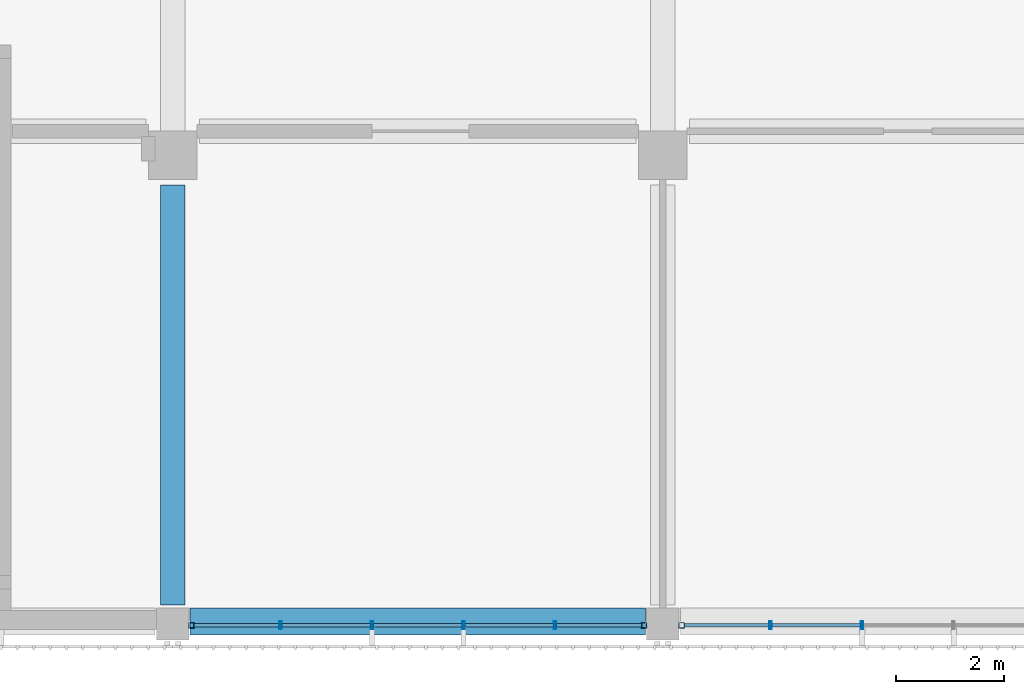
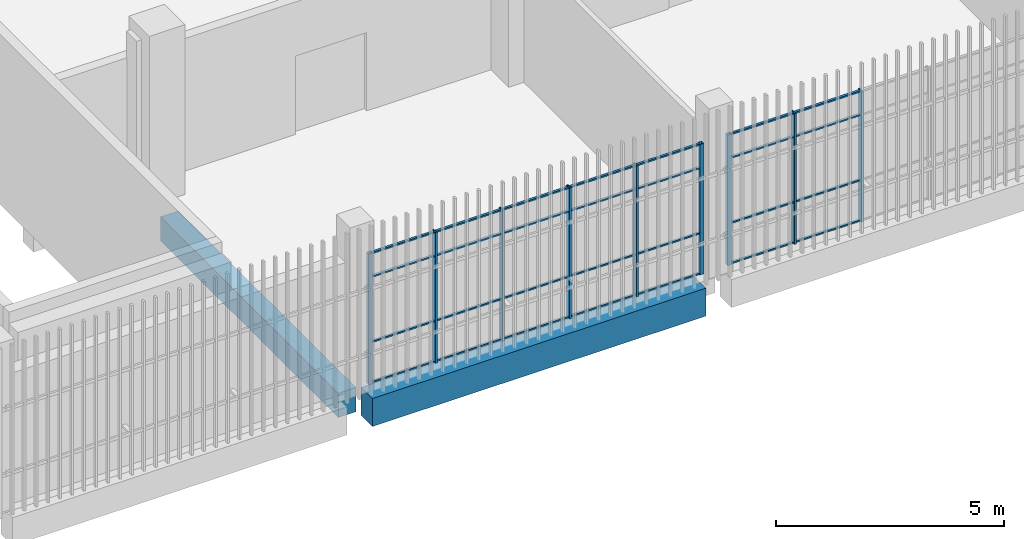
# One storey, part 12 of 104: 37 members, 2 beams, 2 elements without a shape of their own.
"""IFC4 building model written with IfcOpenShell, lengths in metres."""

import ifcopenshell
import ifcopenshell.guid

model = None  # the IFC model being written
_history = None  # IfcOwnerHistory: only IFC2X3 demands one
_inside = {}  # id of a spatial element -> (the spatial element, [elements in it])
_under = {}  # id of a project, library or spatial element -> (it, [spatial elements below it])
_declared = {}  # id of a project -> (the project, [libraries it declares])
_typed = {}  # id of a type object -> (the type object, [elements of that type])
_made_of = {}  # id of a material, layer set ... -> (it, [elements and type objects made of it])


def new_model(schema):
    """Start an empty IFC model of exactly this schema.

    Asked for "IFC4X3", IfcOpenShell would pick the latest addendum, in which some entities
    have other attributes; the version numbers below select the first issue.
    IFC2X3 requires an IfcOwnerHistory on every rooted entity: one is made here for all.
    """
    global model, _history
    if schema == "IFC4X3":
        model = ifcopenshell.file(schema_version=(4, 3, 0, 0))
    else:
        model = ifcopenshell.file(schema=schema)
    _inside.clear()
    _under.clear()
    _declared.clear()
    _typed.clear()
    _made_of.clear()
    _history = None
    if model.schema == "IFC2X3":
        org = make("IfcOrganization", Name="unknown")
        user = make(
            "IfcPersonAndOrganization",
            ThePerson=make("IfcPerson", FamilyName="unknown"),
            TheOrganization=org,
        )
        app = make(
            "IfcApplication",
            ApplicationDeveloper=org,
            Version="unknown",
            ApplicationFullName="unknown",
            ApplicationIdentifier="unknown",
        )
        _history = make(
            "IfcOwnerHistory",
            OwningUser=user,
            OwningApplication=app,
            ChangeAction="ADDED",
            CreationDate=0,
        )
    return model


def make(cls, **values):
    """One entity of the class cls with the attributes given. An attribute that is None is left unset."""
    return model.create_entity(
        cls, **{name: value for name, value in values.items() if value is not None}
    )


def rooted(cls, **values):
    """An entity with a GlobalId (a new one), such as an element, a storey or a relation."""
    return make(cls, GlobalId=ifcopenshell.guid.new(), OwnerHistory=_history, **values)


def si_unit(unit_type, name, prefix=None):
    """IfcSIUnit, for example si_unit("LENGTHUNIT", "METRE", prefix="MILLI")."""
    return make("IfcSIUnit", UnitType=unit_type, Prefix=prefix, Name=name)


def assignment(units):
    """IfcUnitAssignment: the units of a project."""
    return None if units is None else make("IfcUnitAssignment", Units=units)


def point(xyz):
    """IfcCartesianPoint."""
    return None if xyz is None else make("IfcCartesianPoint", Coordinates=xyz)


def direction(xyz):
    """IfcDirection."""
    return None if xyz is None else make("IfcDirection", DirectionRatios=xyz)


def frame(location, z_axis=None, x_axis=None):
    """IfcAxis2Placement3D, a coordinate frame: its origin and axes. An axis left out is left unset."""
    return make(
        "IfcAxis2Placement3D",
        Location=point(location),
        Axis=direction(z_axis),
        RefDirection=direction(x_axis),
    )


def frame_2d(location, x_axis=None):
    """IfcAxis2Placement2D, a coordinate frame in the plane: its origin and x axis."""
    return make(
        "IfcAxis2Placement2D", Location=point(location), RefDirection=direction(x_axis)
    )


def origin():
    """The frame at (0, 0, 0) with its axes left unset."""
    return frame((0.0, 0.0, 0.0))


def origin_2d():
    """The frame at (0, 0) in the plane with its x axis left unset."""
    return frame_2d((0.0, 0.0))


def place(relative_to, where):
    """IfcLocalPlacement: puts the frame where relative to a parent placement (None: the world)."""
    return make(
        "IfcLocalPlacement", PlacementRelTo=relative_to, RelativePlacement=where
    )


def context(
    kind, dimensions, precision=None, world=None, true_north=None, identifier=None
):
    """IfcGeometricRepresentationContext, for example the 3D "Model" context."""
    return make(
        "IfcGeometricRepresentationContext",
        ContextIdentifier=identifier,
        ContextType=kind,
        CoordinateSpaceDimension=dimensions,
        Precision=precision,
        WorldCoordinateSystem=world,
        TrueNorth=true_north,
    )


def subcontext(parent, identifier, kind, view, scale=None):
    """IfcGeometricRepresentationSubContext, for example "Body" below "Model"."""
    return make(
        "IfcGeometricRepresentationSubContext",
        ContextIdentifier=identifier,
        ContextType=kind,
        ParentContext=parent,
        TargetScale=scale,
        TargetView=view,
    )


def project(units=None, contexts=None):
    """IfcProject with its units and contexts."""
    return rooted(
        "IfcProject",
        Name="project",
        RepresentationContexts=contexts,
        UnitsInContext=assignment(units),
    )


def spatial(cls, under=None, at=None, **own):
    """A site, building, storey or space (cls), placed at a placement, below another one or the project."""
    s = rooted(cls, ObjectPlacement=at, **own)
    if under is not None:
        _under.setdefault(under.id(), (under, []))[1].append(s)
    return s


def profile(cls, at=None, kind="AREA", **sizes):
    """A parametric profile (cls). Its sizes go by their IFC names, for example OverallWidth=200.0."""
    return make(cls, ProfileType=kind, Position=at, **sizes)


def rectangle(**sizes):
    """IfcRectangleProfileDef."""
    return profile("IfcRectangleProfileDef", **sizes)


def hollow_rectangle(**sizes):
    """IfcRectangleHollowProfileDef."""
    return profile("IfcRectangleHollowProfileDef", **sizes)


def extrude(swept, where, along, depth):
    """IfcExtrudedAreaSolid: the profile swept, set in the frame where, extruded along a direction by depth."""
    return make(
        "IfcExtrudedAreaSolid",
        SweptArea=swept,
        Position=where,
        ExtrudedDirection=direction(along),
        Depth=depth,
    )


def shape(context_of_items, identifier, shape_type, items):
    """IfcShapeRepresentation: the items that make up one representation, for example the "Body"."""
    return make(
        "IfcShapeRepresentation",
        ContextOfItems=context_of_items,
        RepresentationIdentifier=identifier,
        RepresentationType=shape_type,
        Items=items,
    )


def material(Name=None, Category=None):
    """IfcMaterial."""
    return make("IfcMaterial", Name=Name, Category=Category)


def layer(
    of_material, thickness, ventilated=None, Name=None, Category=None, Priority=None
):
    """IfcMaterialLayer: one layer of a wall or slab, of a material (None: an air gap)."""
    return make(
        "IfcMaterialLayer",
        Material=of_material,
        LayerThickness=thickness,
        IsVentilated=ventilated,
        Name=Name,
        Category=Category,
        Priority=Priority,
    )


def layer_set(layers, Name=None):
    """IfcMaterialLayerSet."""
    return make("IfcMaterialLayerSet", MaterialLayers=layers, LayerSetName=Name)


def material_profile(
    of_material, cross_section, Name=None, Category=None, Priority=None
):
    """IfcMaterialProfile: a cross section and its material."""
    return make(
        "IfcMaterialProfile",
        Name=Name,
        Material=of_material,
        Profile=cross_section,
        Priority=Priority,
        Category=Category,
    )


def profile_set(profiles, Name=None, composite=None):
    """IfcMaterialProfileSet."""
    return make(
        "IfcMaterialProfileSet",
        Name=Name,
        MaterialProfiles=profiles,
        CompositeProfile=composite,
    )


def made_of(thing, what):
    """Note that an element or type object is made of a material, layer set ...; save() writes the relation."""
    if what is not None:
        _made_of.setdefault(what.id(), (what, []))[1].append(thing)
    return thing


def type_object(cls, material=None, **own):
    """A type object (cls), such as IfcWallType, which elements share."""
    return made_of(rooted(cls, **own), material)


def element(
    cls,
    number,
    at=None,
    inside=None,
    cuts=None,
    type_object=None,
    material=None,
    context=None,
    identifier="Body",
    shape_type=None,
    held_by="IfcProductDefinitionShape",
    body=None,
    shapes=None,
    **own,
):
    """One element of the class cls, such as IfcWall. Its Tag is "e" and its number.

    at: its placement. inside: the storey or other place that contains it. cuts: it is an
    opening in that element (IfcRelVoidsElement). A single representation is given by context,
    identifier, shape_type and body (its items); several are given by shapes. held_by: the class
    of the entity that holds the representations. save() writes the other relations.
    """
    e = rooted(cls, Tag="e%d" % number, ObjectPlacement=at, **own)
    if body is not None:
        shapes = [shape(context, identifier, shape_type, body)]
    if shapes is not None:
        e.Representation = make(held_by, Representations=shapes)
    if inside is not None:
        _inside.setdefault(inside.id(), (inside, []))[1].append(e)
    if cuts is not None:
        rooted(
            "IfcRelVoidsElement", RelatingBuildingElement=cuts, RelatedOpeningElement=e
        )
    if type_object is not None:
        _typed.setdefault(type_object.id(), (type_object, []))[1].append(e)
    return made_of(e, material)


def aggregate(whole, parts):
    """IfcRelAggregates: a whole, such as a stair, and the parts it consists of."""
    return rooted("IfcRelAggregates", RelatingObject=whole, RelatedObjects=parts)


def save(model, path):
    """Write the relations noted so far, then the file.

    IfcRelAggregates (storeys below a building ...), IfcRelContainedInSpatialStructure (elements
    in a storey), IfcRelDefinesByType, IfcRelAssociatesMaterial and IfcRelDeclares: one each for
    every whole, place, type object, material and project.
    """
    for whole, parts in _under.values():
        aggregate(whole, parts)
    for where, things in _inside.values():
        rooted(
            "IfcRelContainedInSpatialStructure",
            RelatedElements=things,
            RelatingStructure=where,
        )
    for kind, things in _typed.values():
        rooted("IfcRelDefinesByType", RelatedObjects=things, RelatingType=kind)
    for what, things in _made_of.values():
        rooted("IfcRelAssociatesMaterial", RelatedObjects=things, RelatingMaterial=what)
    for by, libraries in _declared.values():
        rooted("IfcRelDeclares", RelatingContext=by, RelatedDefinitions=libraries)
    model.write(path)


model = new_model("IFC4")

# Units and contexts
model_context = context("Model", 3, precision=1e-05, world=origin(), true_north=direction((0.0, 1.0)))
body_context = subcontext(model_context, "Body", "Model", "MODEL_VIEW")
ifc_project = project(units=[si_unit("LENGTHUNIT", "METRE"), si_unit("AREAUNIT", "SQUARE_METRE"), si_unit("VOLUMEUNIT", "CUBIC_METRE"), si_unit("PLANEANGLEUNIT", "RADIAN"), si_unit("MASSUNIT", "GRAM", prefix="KILO")], contexts=[model_context])

# Site, building, storey
site_placement = place(None, origin())
site = spatial("IfcSite", under=ifc_project, at=site_placement, CompositionType="ELEMENT")
building_placement = place(site_placement, origin())
building = spatial("IfcBuilding", under=site, at=building_placement, Name="Shirokan Park Arena", CompositionType="ELEMENT")
storey_placement = place(building_placement, frame((0.0, 0.0, 10.919921875)))
storey = spatial("IfcBuildingStorey", under=building, at=storey_placement, Name="L02", CompositionType="ELEMENT", Elevation=10.919921875)

# Curtain wall, members
ifc_material_1 = material(Name="Steel and glass curtain wall", Category="steel")
ifc_layer = layer(ifc_material_1, 0.14990234375)
ifc_layer_set = layer_set([ifc_layer], Name="Steel and glass curtain wall 150 mm")
curtain_wall_type = type_object("IfcCurtainWallType", Name="Curtain wall exposed bay 150", PredefinedType="NOTDEFINED", material=ifc_layer_set)
curtain_wall_1_placement = place(storey_placement, origin())
curtain_wall_1 = element("IfcCurtainWall", 1, at=curtain_wall_1_placement, inside=storey, type_object=curtain_wall_type, Name="Curtain wall south bay 8 L02", PredefinedType="NOTDEFINED")
ifc_material_2 = material(Name="Steel S355", Category="steel")
ifc_material_profile_1 = material_profile(ifc_material_2, hollow_rectangle(XDim=0.10009765625, YDim=0.10009765625, WallThickness=0.006103515625, at=origin_2d()), Name="RHS 100x100x6")
ifc_profile_set_1 = profile_set([ifc_material_profile_1], Name="Steel S355")
member_type_1 = type_object("IfcMemberType", Name="Mullion RHS 100x100x6", PredefinedType="MULLION", material=ifc_profile_set_1)
member_1_placement = place(storey_placement, frame((64.050048828125, -0.074951171875, 0.0), z_axis=(0.0, 0.0, 1.0), x_axis=(0.0, 1.0, 0.0)))
member_1 = element("IfcMember", 2, at=member_1_placement, type_object=member_type_1, Name="CW1 mullion 1", PredefinedType="MULLION", context=body_context, shape_type="SweptSolid", body=[
    extrude(hollow_rectangle(XDim=0.10009765625, YDim=0.10009765625, WallThickness=0.006103515625, at=origin_2d()), origin(), (0.0, 0.0, 1.0), 3.5),
])
member_2_placement = place(storey_placement, frame((72.449951171875, -0.074951171875, 0.0), z_axis=(0.0, 0.0, 1.0), x_axis=(0.0, 1.0, 0.0)))
member_2 = element("IfcMember", 3, at=member_2_placement, type_object=member_type_1, Name="CW1 mullion 6", PredefinedType="MULLION", context=body_context, shape_type="SweptSolid", body=[
    extrude(hollow_rectangle(XDim=0.10009765625, YDim=0.10009765625, WallThickness=0.006103515625, at=origin_2d()), origin(), (0.0, 0.0, 1.0), 3.5),
])

# Curtain wall, member
curtain_wall_2_placement = place(storey_placement, origin())
curtain_wall_2 = element("IfcCurtainWall", 4, at=curtain_wall_2_placement, inside=storey, type_object=curtain_wall_type, Name="Curtain wall south bay 9 L02", PredefinedType="NOTDEFINED")
member_3_placement = place(storey_placement, frame((73.14990234375, -0.074951171875, 0.0), z_axis=(0.0, 0.0, 1.0), x_axis=(0.0, 1.0, 0.0)))
member_3 = element("IfcMember", 5, at=member_3_placement, type_object=member_type_1, Name="CW1 mullion 1", PredefinedType="MULLION", context=body_context, shape_type="SweptSolid", body=[
    extrude(hollow_rectangle(XDim=0.10009765625, YDim=0.10009765625, WallThickness=0.006103515625, at=origin_2d()), origin(), (0.0, 0.0, 1.0), 3.5),
])

# Member
ifc_material_profile_2 = material_profile(ifc_material_2, hollow_rectangle(XDim=0.14990234375, YDim=0.050048828125, WallThickness=0.006103515625, at=origin_2d()), Name="RHS 150x50x6")
ifc_profile_set_2 = profile_set([ifc_material_profile_2], Name="Steel S355")
member_type_2 = type_object("IfcMemberType", Name="Mullion RHS 150x50x6", PredefinedType="MULLION", material=ifc_profile_set_2)
member_4_placement = place(storey_placement, frame((65.699951171875, -0.074951171875, 0.0), z_axis=(0.0, 0.0, 1.0), x_axis=(0.0, 1.0, 0.0)))
member_4 = element("IfcMember", 6, at=member_4_placement, type_object=member_type_2, Name="CW1 mullion 2", PredefinedType="MULLION", context=body_context, shape_type="SweptSolid", body=[
    extrude(hollow_rectangle(XDim=0.14990234375, YDim=0.050048828125, WallThickness=0.006103515625, at=origin_2d()), origin(), (0.0, 0.0, 1.0), 3.5),
])

member_5_placement = place(storey_placement, frame((67.39990234375, -0.074951171875, 0.0), z_axis=(0.0, 0.0, 1.0), x_axis=(0.0, 1.0, 0.0)))
member_5 = element("IfcMember", 7, at=member_5_placement, type_object=member_type_2, Name="CW1 mullion 3", PredefinedType="MULLION", context=body_context, shape_type="SweptSolid", body=[
    extrude(hollow_rectangle(XDim=0.14990234375, YDim=0.050048828125, WallThickness=0.006103515625, at=origin_2d()), origin(), (0.0, 0.0, 1.0), 3.5),
])

member_6_placement = place(storey_placement, frame((69.10009765625, -0.074951171875, 0.0), z_axis=(0.0, 0.0, 1.0), x_axis=(0.0, 1.0, 0.0)))
member_6 = element("IfcMember", 8, at=member_6_placement, type_object=member_type_2, Name="CW1 mullion 4", PredefinedType="MULLION", context=body_context, shape_type="SweptSolid", body=[
    extrude(hollow_rectangle(XDim=0.14990234375, YDim=0.050048828125, WallThickness=0.006103515625, at=origin_2d()), origin(), (0.0, 0.0, 1.0), 3.5),
])

member_7_placement = place(storey_placement, frame((70.800048828125, -0.074951171875, 0.0), z_axis=(0.0, 0.0, 1.0), x_axis=(0.0, 1.0, 0.0)))
member_7 = element("IfcMember", 9, at=member_7_placement, type_object=member_type_2, Name="CW1 mullion 5", PredefinedType="MULLION", context=body_context, shape_type="SweptSolid", body=[
    extrude(hollow_rectangle(XDim=0.14990234375, YDim=0.050048828125, WallThickness=0.006103515625, at=origin_2d()), origin(), (0.0, 0.0, 1.0), 3.5),
])

member_8_placement = place(storey_placement, frame((74.800048828125, -0.074951171875, 0.0), z_axis=(0.0, 0.0, 1.0), x_axis=(0.0, 1.0, 0.0)))
member_8 = element("IfcMember", 10, at=member_8_placement, type_object=member_type_2, Name="CW1 mullion 2", PredefinedType="MULLION", context=body_context, shape_type="SweptSolid", body=[
    extrude(hollow_rectangle(XDim=0.14990234375, YDim=0.050048828125, WallThickness=0.006103515625, at=origin_2d()), origin(), (0.0, 0.0, 1.0), 3.5),
])

member_9_placement = place(storey_placement, frame((76.5, -0.074951171875, 0.0), z_axis=(0.0, 0.0, 1.0), x_axis=(0.0, 1.0, 0.0)))
member_9 = element("IfcMember", 11, at=member_9_placement, type_object=member_type_2, Name="CW1 mullion 3", PredefinedType="MULLION", context=body_context, shape_type="SweptSolid", body=[
    extrude(hollow_rectangle(XDim=0.14990234375, YDim=0.050048828125, WallThickness=0.006103515625, at=origin_2d()), origin(), (0.0, 0.0, 1.0), 3.5),
])

# Beams
ifc_material_3 = material(Name="Concrete C35", Category="concrete")
ifc_material_profile_3 = material_profile(ifc_material_3, rectangle(XDim=0.449951171875, YDim=0.64990234375, at=origin_2d()), Name="450x650")
ifc_profile_set_3 = profile_set([ifc_material_profile_3], Name="Concrete C35")
beam_type_1 = type_object("IfcBeamType", Name="RC girder 450x650", PredefinedType="BEAM", material=ifc_profile_set_3)
beam_1_placement = place(storey_placement, frame((63.699951171875, 0.300048828125, -0.625), z_axis=(0.0, 1.0, 0.0), x_axis=(-1.0, 0.0, 0.0)))
element("IfcBeam", 12, at=beam_1_placement, inside=storey, type_object=beam_type_1, Name="Girder 8A-8B L02", PredefinedType="BEAM", context=body_context, shape_type="SweptSolid", body=[
    extrude(rectangle(XDim=0.449951171875, YDim=0.64990234375, at=origin_2d()), origin(), (0.0, 0.0, 1.0), 7.7998046875),
])
ifc_material_profile_4 = material_profile(ifc_material_3, rectangle(XDim=0.5, YDim=0.75, at=origin_2d()), Name="500x750")
ifc_profile_set_4 = profile_set([ifc_material_profile_4], Name="Concrete C35")
beam_type_2 = type_object("IfcBeamType", Name="RC girder 500x750", PredefinedType="BEAM", material=ifc_profile_set_4)
beam_2_placement = place(storey_placement, frame((64.025146484375, 0.0, -0.6748046875), z_axis=(1.0, 0.0, 0.0), x_axis=(0.0, 1.0, 0.0)))
element("IfcBeam", 13, at=beam_2_placement, inside=storey, type_object=beam_type_2, Name="Girder 8A-9A L02", PredefinedType="BEAM", context=body_context, shape_type="SweptSolid", body=[
    extrude(rectangle(XDim=0.5, YDim=0.75, at=origin_2d()), origin(), (0.0, 0.0, 1.0), 8.44970703125),
])

# Member
ifc_material_profile_5 = material_profile(ifc_material_2, hollow_rectangle(XDim=0.06005859375, YDim=0.0400390625, WallThickness=0.00390625, at=origin_2d()), Name="RHS 60x40x4")
ifc_profile_set_5 = profile_set([ifc_material_profile_5], Name="Steel S355")
member_type_3 = type_object("IfcMemberType", Name="Transom RHS 60x40x4", PredefinedType="MULLION", material=ifc_profile_set_5)
member_10_placement = place(storey_placement, frame((64.10009765625, -0.074951171875, 0.02001953125), z_axis=(1.0, 0.0, 0.0), x_axis=(0.0, 1.0, 0.0)))
member_10 = element("IfcMember", 14, at=member_10_placement, type_object=member_type_3, Name="CW1 transom 1.1", PredefinedType="MULLION", context=body_context, shape_type="SweptSolid", body=[
    extrude(hollow_rectangle(XDim=0.06005859375, YDim=0.0400390625, WallThickness=0.00390625, at=origin_2d()), origin(), (0.0, 0.0, 1.0), 1.574951171875),
])

member_11_placement = place(storey_placement, frame((64.10009765625, -0.074951171875, 1.10009765625), z_axis=(1.0, 0.0, 0.0), x_axis=(0.0, 1.0, 0.0)))
member_11 = element("IfcMember", 15, at=member_11_placement, type_object=member_type_3, Name="CW1 transom 1.2", PredefinedType="MULLION", context=body_context, shape_type="SweptSolid", body=[
    extrude(hollow_rectangle(XDim=0.06005859375, YDim=0.0400390625, WallThickness=0.00390625, at=origin_2d()), origin(), (0.0, 0.0, 1.0), 1.574951171875),
])

member_12_placement = place(storey_placement, frame((64.10009765625, -0.074951171875, 2.85009765625), z_axis=(1.0, 0.0, 0.0), x_axis=(0.0, 1.0, 0.0)))
member_12 = element("IfcMember", 16, at=member_12_placement, type_object=member_type_3, Name="CW1 transom 1.3", PredefinedType="MULLION", context=body_context, shape_type="SweptSolid", body=[
    extrude(hollow_rectangle(XDim=0.06005859375, YDim=0.0400390625, WallThickness=0.00390625, at=origin_2d()), origin(), (0.0, 0.0, 1.0), 1.574951171875),
])

member_13_placement = place(storey_placement, frame((64.10009765625, -0.074951171875, 3.47998046875), z_axis=(1.0, 0.0, 0.0), x_axis=(0.0, 1.0, 0.0)))
member_13 = element("IfcMember", 17, at=member_13_placement, type_object=member_type_3, Name="CW1 transom 1.4", PredefinedType="MULLION", context=body_context, shape_type="SweptSolid", body=[
    extrude(hollow_rectangle(XDim=0.06005859375, YDim=0.0400390625, WallThickness=0.00390625, at=origin_2d()), origin(), (0.0, 0.0, 1.0), 1.574951171875),
])

member_14_placement = place(storey_placement, frame((65.72509765625, -0.074951171875, 0.02001953125), z_axis=(1.0, 0.0, 0.0), x_axis=(0.0, 1.0, 0.0)))
member_14 = element("IfcMember", 18, at=member_14_placement, type_object=member_type_3, Name="CW1 transom 2.1", PredefinedType="MULLION", context=body_context, shape_type="SweptSolid", body=[
    extrude(hollow_rectangle(XDim=0.06005859375, YDim=0.0400390625, WallThickness=0.00390625, at=origin_2d()), origin(), (0.0, 0.0, 1.0), 1.64990234375),
])

member_15_placement = place(storey_placement, frame((65.72509765625, -0.074951171875, 1.10009765625), z_axis=(1.0, 0.0, 0.0), x_axis=(0.0, 1.0, 0.0)))
member_15 = element("IfcMember", 19, at=member_15_placement, type_object=member_type_3, Name="CW1 transom 2.2", PredefinedType="MULLION", context=body_context, shape_type="SweptSolid", body=[
    extrude(hollow_rectangle(XDim=0.06005859375, YDim=0.0400390625, WallThickness=0.00390625, at=origin_2d()), origin(), (0.0, 0.0, 1.0), 1.64990234375),
])

member_16_placement = place(storey_placement, frame((65.72509765625, -0.074951171875, 2.85009765625), z_axis=(1.0, 0.0, 0.0), x_axis=(0.0, 1.0, 0.0)))
member_16 = element("IfcMember", 20, at=member_16_placement, type_object=member_type_3, Name="CW1 transom 2.3", PredefinedType="MULLION", context=body_context, shape_type="SweptSolid", body=[
    extrude(hollow_rectangle(XDim=0.06005859375, YDim=0.0400390625, WallThickness=0.00390625, at=origin_2d()), origin(), (0.0, 0.0, 1.0), 1.64990234375),
])

member_17_placement = place(storey_placement, frame((65.72509765625, -0.074951171875, 3.47998046875), z_axis=(1.0, 0.0, 0.0), x_axis=(0.0, 1.0, 0.0)))
member_17 = element("IfcMember", 21, at=member_17_placement, type_object=member_type_3, Name="CW1 transom 2.4", PredefinedType="MULLION", context=body_context, shape_type="SweptSolid", body=[
    extrude(hollow_rectangle(XDim=0.06005859375, YDim=0.0400390625, WallThickness=0.00390625, at=origin_2d()), origin(), (0.0, 0.0, 1.0), 1.64990234375),
])

member_18_placement = place(storey_placement, frame((67.425048828125, -0.074951171875, 0.02001953125), z_axis=(1.0, 0.0, 0.0), x_axis=(0.0, 1.0, 0.0)))
member_18 = element("IfcMember", 22, at=member_18_placement, type_object=member_type_3, Name="CW1 transom 3.1", PredefinedType="MULLION", context=body_context, shape_type="SweptSolid", body=[
    extrude(hollow_rectangle(XDim=0.06005859375, YDim=0.0400390625, WallThickness=0.00390625, at=origin_2d()), origin(), (0.0, 0.0, 1.0), 1.64990234375),
])

member_19_placement = place(storey_placement, frame((67.425048828125, -0.074951171875, 1.10009765625), z_axis=(1.0, 0.0, 0.0), x_axis=(0.0, 1.0, 0.0)))
member_19 = element("IfcMember", 23, at=member_19_placement, type_object=member_type_3, Name="CW1 transom 3.2", PredefinedType="MULLION", context=body_context, shape_type="SweptSolid", body=[
    extrude(hollow_rectangle(XDim=0.06005859375, YDim=0.0400390625, WallThickness=0.00390625, at=origin_2d()), origin(), (0.0, 0.0, 1.0), 1.64990234375),
])

member_20_placement = place(storey_placement, frame((67.425048828125, -0.074951171875, 2.85009765625), z_axis=(1.0, 0.0, 0.0), x_axis=(0.0, 1.0, 0.0)))
member_20 = element("IfcMember", 24, at=member_20_placement, type_object=member_type_3, Name="CW1 transom 3.3", PredefinedType="MULLION", context=body_context, shape_type="SweptSolid", body=[
    extrude(hollow_rectangle(XDim=0.06005859375, YDim=0.0400390625, WallThickness=0.00390625, at=origin_2d()), origin(), (0.0, 0.0, 1.0), 1.64990234375),
])

member_21_placement = place(storey_placement, frame((67.425048828125, -0.074951171875, 3.47998046875), z_axis=(1.0, 0.0, 0.0), x_axis=(0.0, 1.0, 0.0)))
member_21 = element("IfcMember", 25, at=member_21_placement, type_object=member_type_3, Name="CW1 transom 3.4", PredefinedType="MULLION", context=body_context, shape_type="SweptSolid", body=[
    extrude(hollow_rectangle(XDim=0.06005859375, YDim=0.0400390625, WallThickness=0.00390625, at=origin_2d()), origin(), (0.0, 0.0, 1.0), 1.64990234375),
])

member_22_placement = place(storey_placement, frame((69.125, -0.074951171875, 0.02001953125), z_axis=(1.0, 0.0, 0.0), x_axis=(0.0, 1.0, 0.0)))
member_22 = element("IfcMember", 26, at=member_22_placement, type_object=member_type_3, Name="CW1 transom 4.1", PredefinedType="MULLION", context=body_context, shape_type="SweptSolid", body=[
    extrude(hollow_rectangle(XDim=0.06005859375, YDim=0.0400390625, WallThickness=0.00390625, at=origin_2d()), origin(), (0.0, 0.0, 1.0), 1.64990234375),
])

member_23_placement = place(storey_placement, frame((69.125, -0.074951171875, 1.10009765625), z_axis=(1.0, 0.0, 0.0), x_axis=(0.0, 1.0, 0.0)))
member_23 = element("IfcMember", 27, at=member_23_placement, type_object=member_type_3, Name="CW1 transom 4.2", PredefinedType="MULLION", context=body_context, shape_type="SweptSolid", body=[
    extrude(hollow_rectangle(XDim=0.06005859375, YDim=0.0400390625, WallThickness=0.00390625, at=origin_2d()), origin(), (0.0, 0.0, 1.0), 1.64990234375),
])

member_24_placement = place(storey_placement, frame((69.125, -0.074951171875, 2.85009765625), z_axis=(1.0, 0.0, 0.0), x_axis=(0.0, 1.0, 0.0)))
member_24 = element("IfcMember", 28, at=member_24_placement, type_object=member_type_3, Name="CW1 transom 4.3", PredefinedType="MULLION", context=body_context, shape_type="SweptSolid", body=[
    extrude(hollow_rectangle(XDim=0.06005859375, YDim=0.0400390625, WallThickness=0.00390625, at=origin_2d()), origin(), (0.0, 0.0, 1.0), 1.64990234375),
])

member_25_placement = place(storey_placement, frame((69.125, -0.074951171875, 3.47998046875), z_axis=(1.0, 0.0, 0.0), x_axis=(0.0, 1.0, 0.0)))
member_25 = element("IfcMember", 29, at=member_25_placement, type_object=member_type_3, Name="CW1 transom 4.4", PredefinedType="MULLION", context=body_context, shape_type="SweptSolid", body=[
    extrude(hollow_rectangle(XDim=0.06005859375, YDim=0.0400390625, WallThickness=0.00390625, at=origin_2d()), origin(), (0.0, 0.0, 1.0), 1.64990234375),
])

member_26_placement = place(storey_placement, frame((70.824951171875, -0.074951171875, 0.02001953125), z_axis=(1.0, 0.0, 0.0), x_axis=(0.0, 1.0, 0.0)))
member_26 = element("IfcMember", 30, at=member_26_placement, type_object=member_type_3, Name="CW1 transom 5.1", PredefinedType="MULLION", context=body_context, shape_type="SweptSolid", body=[
    extrude(hollow_rectangle(XDim=0.06005859375, YDim=0.0400390625, WallThickness=0.00390625, at=origin_2d()), origin(), (0.0, 0.0, 1.0), 1.574951171875),
])

member_27_placement = place(storey_placement, frame((70.824951171875, -0.074951171875, 1.10009765625), z_axis=(1.0, 0.0, 0.0), x_axis=(0.0, 1.0, 0.0)))
member_27 = element("IfcMember", 31, at=member_27_placement, type_object=member_type_3, Name="CW1 transom 5.2", PredefinedType="MULLION", context=body_context, shape_type="SweptSolid", body=[
    extrude(hollow_rectangle(XDim=0.06005859375, YDim=0.0400390625, WallThickness=0.00390625, at=origin_2d()), origin(), (0.0, 0.0, 1.0), 1.574951171875),
])

member_28_placement = place(storey_placement, frame((70.824951171875, -0.074951171875, 2.85009765625), z_axis=(1.0, 0.0, 0.0), x_axis=(0.0, 1.0, 0.0)))
member_28 = element("IfcMember", 32, at=member_28_placement, type_object=member_type_3, Name="CW1 transom 5.3", PredefinedType="MULLION", context=body_context, shape_type="SweptSolid", body=[
    extrude(hollow_rectangle(XDim=0.06005859375, YDim=0.0400390625, WallThickness=0.00390625, at=origin_2d()), origin(), (0.0, 0.0, 1.0), 1.574951171875),
])

member_29_placement = place(storey_placement, frame((70.824951171875, -0.074951171875, 3.47998046875), z_axis=(1.0, 0.0, 0.0), x_axis=(0.0, 1.0, 0.0)))
member_29 = element("IfcMember", 33, at=member_29_placement, type_object=member_type_3, Name="CW1 transom 5.4", PredefinedType="MULLION", context=body_context, shape_type="SweptSolid", body=[
    extrude(hollow_rectangle(XDim=0.06005859375, YDim=0.0400390625, WallThickness=0.00390625, at=origin_2d()), origin(), (0.0, 0.0, 1.0), 1.574951171875),
])

aggregate(curtain_wall_1, [member_1, member_4, member_5, member_6, member_7, member_2, member_10, member_11, member_12, member_13, member_14, member_15, member_16, member_17, member_18, member_19, member_20, member_21, member_22, member_23, member_24, member_25, member_26, member_27, member_28, member_29])

member_30_placement = place(storey_placement, frame((73.199951171875, -0.074951171875, 0.02001953125), z_axis=(1.0, 0.0, 0.0), x_axis=(0.0, 1.0, 0.0)))
member_30 = element("IfcMember", 34, at=member_30_placement, type_object=member_type_3, Name="CW1 transom 1.1", PredefinedType="MULLION", context=body_context, shape_type="SweptSolid", body=[
    extrude(hollow_rectangle(XDim=0.06005859375, YDim=0.0400390625, WallThickness=0.00390625, at=origin_2d()), origin(), (0.0, 0.0, 1.0), 1.574951171875),
])

member_31_placement = place(storey_placement, frame((73.199951171875, -0.074951171875, 1.10009765625), z_axis=(1.0, 0.0, 0.0), x_axis=(0.0, 1.0, 0.0)))
member_31 = element("IfcMember", 35, at=member_31_placement, type_object=member_type_3, Name="CW1 transom 1.2", PredefinedType="MULLION", context=body_context, shape_type="SweptSolid", body=[
    extrude(hollow_rectangle(XDim=0.06005859375, YDim=0.0400390625, WallThickness=0.00390625, at=origin_2d()), origin(), (0.0, 0.0, 1.0), 1.574951171875),
])

member_32_placement = place(storey_placement, frame((73.199951171875, -0.074951171875, 2.85009765625), z_axis=(1.0, 0.0, 0.0), x_axis=(0.0, 1.0, 0.0)))
member_32 = element("IfcMember", 36, at=member_32_placement, type_object=member_type_3, Name="CW1 transom 1.3", PredefinedType="MULLION", context=body_context, shape_type="SweptSolid", body=[
    extrude(hollow_rectangle(XDim=0.06005859375, YDim=0.0400390625, WallThickness=0.00390625, at=origin_2d()), origin(), (0.0, 0.0, 1.0), 1.574951171875),
])

member_33_placement = place(storey_placement, frame((73.199951171875, -0.074951171875, 3.47998046875), z_axis=(1.0, 0.0, 0.0), x_axis=(0.0, 1.0, 0.0)))
member_33 = element("IfcMember", 37, at=member_33_placement, type_object=member_type_3, Name="CW1 transom 1.4", PredefinedType="MULLION", context=body_context, shape_type="SweptSolid", body=[
    extrude(hollow_rectangle(XDim=0.06005859375, YDim=0.0400390625, WallThickness=0.00390625, at=origin_2d()), origin(), (0.0, 0.0, 1.0), 1.574951171875),
])

member_34_placement = place(storey_placement, frame((74.824951171875, -0.074951171875, 0.02001953125), z_axis=(1.0, 0.0, 0.0), x_axis=(0.0, 1.0, 0.0)))
member_34 = element("IfcMember", 38, at=member_34_placement, type_object=member_type_3, Name="CW1 transom 2.1", PredefinedType="MULLION", context=body_context, shape_type="SweptSolid", body=[
    extrude(hollow_rectangle(XDim=0.06005859375, YDim=0.0400390625, WallThickness=0.00390625, at=origin_2d()), origin(), (0.0, 0.0, 1.0), 1.650146484375),
])

member_35_placement = place(storey_placement, frame((74.824951171875, -0.074951171875, 1.10009765625), z_axis=(1.0, 0.0, 0.0), x_axis=(0.0, 1.0, 0.0)))
member_35 = element("IfcMember", 39, at=member_35_placement, type_object=member_type_3, Name="CW1 transom 2.2", PredefinedType="MULLION", context=body_context, shape_type="SweptSolid", body=[
    extrude(hollow_rectangle(XDim=0.06005859375, YDim=0.0400390625, WallThickness=0.00390625, at=origin_2d()), origin(), (0.0, 0.0, 1.0), 1.650146484375),
])

member_36_placement = place(storey_placement, frame((74.824951171875, -0.074951171875, 2.85009765625), z_axis=(1.0, 0.0, 0.0), x_axis=(0.0, 1.0, 0.0)))
member_36 = element("IfcMember", 40, at=member_36_placement, type_object=member_type_3, Name="CW1 transom 2.3", PredefinedType="MULLION", context=body_context, shape_type="SweptSolid", body=[
    extrude(hollow_rectangle(XDim=0.06005859375, YDim=0.0400390625, WallThickness=0.00390625, at=origin_2d()), origin(), (0.0, 0.0, 1.0), 1.650146484375),
])

member_37_placement = place(storey_placement, frame((74.824951171875, -0.074951171875, 3.47998046875), z_axis=(1.0, 0.0, 0.0), x_axis=(0.0, 1.0, 0.0)))
member_37 = element("IfcMember", 41, at=member_37_placement, type_object=member_type_3, Name="CW1 transom 2.4", PredefinedType="MULLION", context=body_context, shape_type="SweptSolid", body=[
    extrude(hollow_rectangle(XDim=0.06005859375, YDim=0.0400390625, WallThickness=0.00390625, at=origin_2d()), origin(), (0.0, 0.0, 1.0), 1.650146484375),
])

aggregate(curtain_wall_2, [member_3, member_8, member_9, member_30, member_31, member_32, member_33, member_34, member_35, member_36, member_37])

save(model, "model.ifc")
